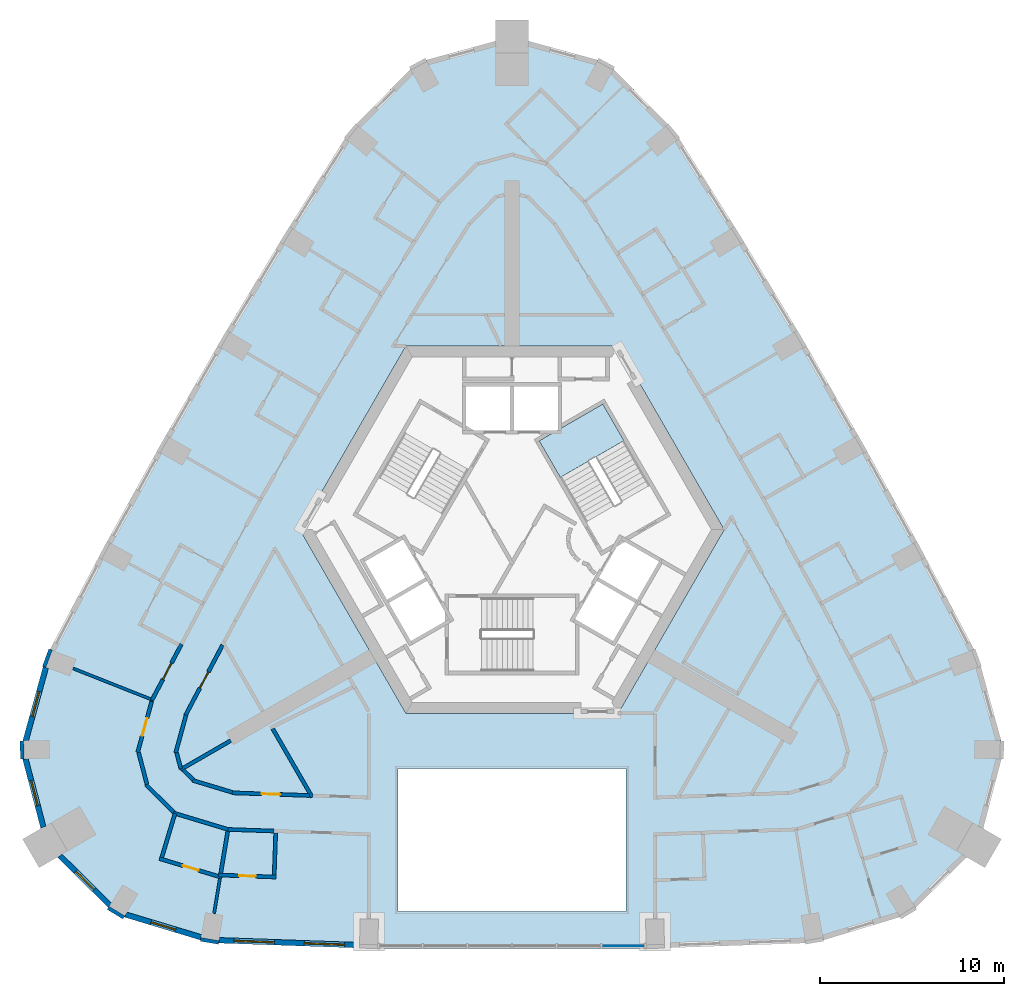
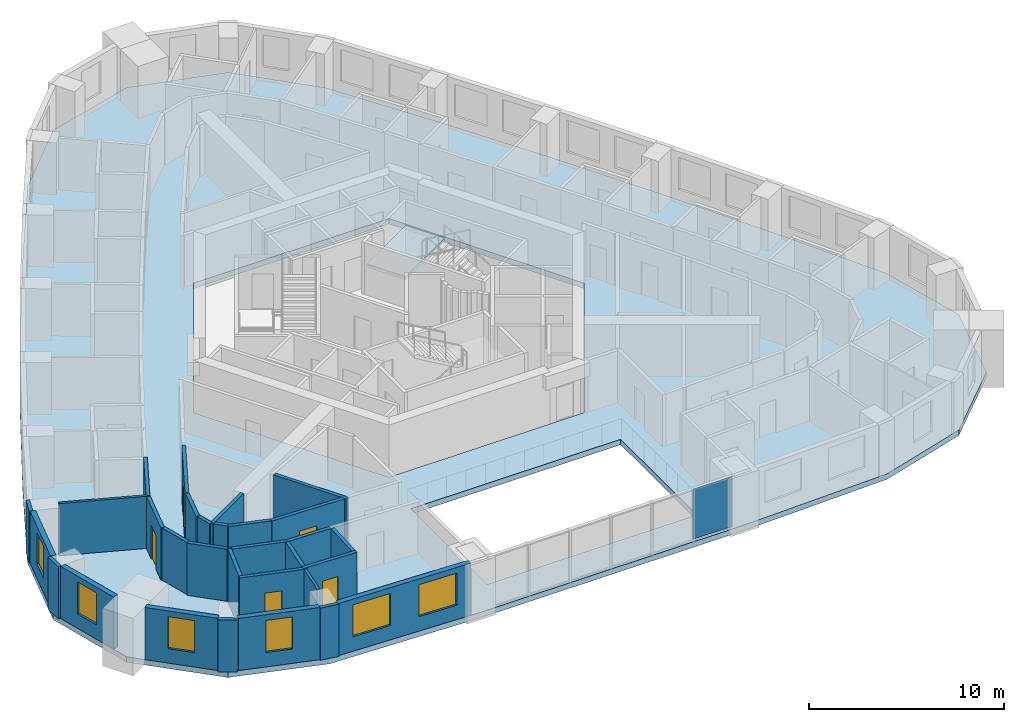
# One storey, part 3 of 12: 30 walls, 6 doors, 6 windows, 2 slabs, 1 plate, 12 openings, 2 elements without a shape of their own.
"""IFC4 building model written with IfcOpenShell, lengths in metres."""

from ifc_helpers import new_model, si_unit, direction, frame, frame_2d, origin, origin_2d, place, context, subcontext, project, spatial, polyline, rectangle, outline, extrude, material, layer, layer_set, type_object, element, fill, aggregate, save


model = new_model("IFC4")

# Units and contexts
model_context = context("Model", 3, precision=1e-05, world=origin(), true_north=direction((0.0, 1.0)))
body_context = subcontext(model_context, "Body", "Model", "MODEL_VIEW")
ifc_project = project(units=[si_unit("LENGTHUNIT", "METRE"), si_unit("AREAUNIT", "SQUARE_METRE"), si_unit("VOLUMEUNIT", "CUBIC_METRE"), si_unit("PLANEANGLEUNIT", "RADIAN"), si_unit("MASSUNIT", "GRAM", prefix="KILO")], contexts=[model_context])

# Site, building, storey
site_placement = place(None, origin())
site = spatial("IfcSite", under=ifc_project, at=site_placement, CompositionType="ELEMENT")
building_placement = place(site_placement, origin())
building = spatial("IfcBuilding", under=site, at=building_placement, Name="Entoto Arch Interchange Tower", CompositionType="ELEMENT")
storey_placement = place(building_placement, frame((0.0, 0.0, 255.800048828125)))
storey = spatial("IfcBuildingStorey", under=building, at=storey_placement, Name="L58", CompositionType="ELEMENT", Elevation=255.800048828125)

# Stair, slab
ifc_material_1 = material(Name="Concrete C40/50", Category="concrete")
stair_type = type_object("IfcStairType", Name="EXIT STAIR RC 1800", PredefinedType="HALF_TURN_STAIR", material=ifc_material_1)
stair_placement = place(storey_placement, origin())
stair = element("IfcStair", 1, at=stair_placement, inside=storey, type_object=stair_type, Name="L58 Exit stair NE", PredefinedType="HALF_TURN_STAIR")
ifc_layer_1 = layer(ifc_material_1, 0.199951171875)
ifc_layer_set_1 = layer_set([ifc_layer_1], Name="Concrete C40/50")
slab_type_1 = type_object("IfcSlabType", Name="EXIT STAIR LANDING RC 200", PredefinedType="LANDING", material=ifc_layer_set_1)
slab_1_placement = place(storey_placement, frame((0.0, 0.0, 1.599853515625)))
slab_1 = element("IfcSlab", 2, at=slab_1_placement, type_object=slab_type_1, Name="ST-NE landing 1", PredefinedType="LANDING", context=body_context, shape_type="SweptSolid", body=[
    extrude(outline(polyline([(6.093505859375, 7.345947265625), (4.943359375, 9.337890625), (1.479248046875, 7.337890625), (2.62939453125, 5.345947265625), (6.093505859375, 7.345947265625)])), origin(), (0.0, 0.0, 1.0), 0.2001953125),
])
aggregate(stair, [slab_1])

# Curtain wall, plate
ifc_material_2 = material(Name="Aluminium, anodised", Category="aluminium")
curtain_wall_type = type_object("IfcCurtainWallType", Name="CURTAIN WALL ATRIUM", PredefinedType="NOTDEFINED", material=ifc_material_2)
curtain_wall_placement = place(storey_placement, origin())
curtain_wall = element("IfcCurtainWall", 3, at=curtain_wall_placement, inside=storey, type_object=curtain_wall_type, Name="Atrium glazing S-02 L58", PredefinedType="NOTDEFINED")
ifc_material_3 = material(Name="Clear glass, low-e double glazed", Category="glass")
ifc_layer_2 = layer(ifc_material_3, 0.031982421875)
ifc_layer_set_2 = layer_set([ifc_layer_2], Name="Clear glass, low-e double glazed")
plate_type = type_object("IfcPlateType", Name="GLAZING PANEL ATRIUM 32", PredefinedType="CURTAIN_PANEL", material=ifc_layer_set_2)
plate_placement = place(storey_placement, frame((6.0576171875, -20.1640625, 0.079833984375), z_axis=(0.0, 0.0, 1.0), x_axis=(1.0, 0.0, 0.0)))
plate = element("IfcPlate", 4, at=plate_placement, type_object=plate_type, Name="CWA panel 6.1", PredefinedType="CURTAIN_PANEL", context=body_context, shape_type="SweptSolid", body=[
    extrude(rectangle(XDim=2.282958984375, YDim=0.031982421875, at=origin_2d()), origin(), (0.0, 0.0, 1.0), 3.10009765625),
])
aggregate(curtain_wall, [plate])

# Slab
ifc_layer_3 = layer(ifc_material_1, 0.340087890625)
ifc_layer_set_3 = layer_set([ifc_layer_3], Name="Concrete C40/50")
slab_type_2 = type_object("IfcSlabType", Name="Post-tensioned flat plate 340 C40/50", PredefinedType="FLOOR", material=ifc_layer_set_3)
slab_2_placement = place(storey_placement, frame((0.0, 0.0, -0.340087890625)))
element("IfcSlab", 5, at=slab_2_placement, inside=storey, type_object=slab_type_2, Name="Floor slab L58", PredefinedType="FLOOR", context=body_context, shape_type="SweptSolid", body=[
    extrude(outline(polyline([(-16.47998046875, -19.986083984375), (-7.800048828125, -20.2890625), (7.800048828125, -20.2890625), (16.47998046875, -19.986083984375), (21.60888671875, -18.43798828125), (25.4150390625, -14.674072265625), (26.77197265625, -9.493896484375), (25.388916015625, -4.462890625), (22.280029296875, 1.427978515625), (19.087890625, 7.2080078125), (15.785888671875, 12.926025390625), (12.3759765625, 18.58203125), (8.8291015625, 24.219970703125), (5.1640625, 27.93310546875), (0.0, 29.346923828125), (-5.1640625, 27.93310546875), (-8.8291015625, 24.219970703125), (-12.3759765625, 18.58203125), (-15.785888671875, 12.926025390625), (-19.087890625, 7.2080078125), (-22.280029296875, 1.427978515625), (-25.388916015625, -4.462890625), (-26.77197265625, -9.493896484375), (-25.4150390625, -14.674072265625), (-21.60888671875, -18.43798828125), (-16.47998046875, -19.986083984375)]), holes=[polyline([(6.199951171875, -18.2890625), (6.199951171875, -10.5), (-6.199951171875, -10.5), (-6.199951171875, -18.2890625), (6.199951171875, -18.2890625)]), polyline([(11.547119140625, 2.5), (5.77392578125, 12.5), (-5.77392578125, 12.5), (-11.547119140625, 2.5), (-5.77392578125, -7.5), (5.77392578125, -7.5), (11.547119140625, 2.5)])]), origin(), (0.0, 0.0, 1.0), 0.340087890625),
])

# Walls
ifc_material_4 = material(Name="Gypsum board partition on steel studs", Category="steel")
ifc_layer_4 = layer(ifc_material_4, 0.14990234375)
ifc_layer_set_4 = layer_set([ifc_layer_4], Name="Gypsum board partition on steel studs")
wall_type_1 = type_object("IfcWallType", Name="PARTITION 150", PredefinedType="PARTITIONING", material=ifc_layer_set_4)
wall_1_placement = place(storey_placement, frame((-19.4970703125, -6.794921875, 0.0), z_axis=(0.0, 0.0, 1.0), x_axis=(-0.929826906887, 0.367997178289, 0.0)))
element("IfcWall", 6, at=wall_1_placement, inside=storey, type_object=wall_type_1, Name="wall:L58:p174", PredefinedType="PARTITIONING", context=body_context, shape_type="SweptSolid", body=[
    extrude(rectangle(XDim=4.717041015625, YDim=0.14990234375, at=frame_2d((2.3583984375, 0.0))), origin(), (0.0, 0.0, 1.0), 3.260009765625),
])
wall_2_placement = place(storey_placement, frame((-15.903076171875, -16.501953125, 0.0), z_axis=(0.0, 0.0, 1.0), x_axis=(-0.163715562906, -0.986507584594, 0.0)))
element("IfcWall", 7, at=wall_2_placement, inside=storey, type_object=wall_type_1, Name="wall:L58:p177", PredefinedType="PARTITIONING", context=body_context, shape_type="SweptSolid", body=[
    extrude(rectangle(XDim=1.911865234375, YDim=0.14990234375, at=frame_2d((0.9560546875, 0.0))), origin(), (0.0, 0.0, 1.0), 3.260009765625),
])

# Wall, opening, door
ifc_layer_5 = layer(ifc_material_4, 0.199951171875)
ifc_layer_set_5 = layer_set([ifc_layer_5], Name="Gypsum board partition on steel studs")
wall_type_2 = type_object("IfcWallType", Name="PARTITION 200", PredefinedType="PARTITIONING", material=ifc_layer_set_5)
wall_3_placement = place(storey_placement, frame((-15.756103515625, -3.779052734375, 0.0), z_axis=(0.0, 0.0, 1.0), x_axis=(-0.46672043873, -0.884404902786, 0.0)))
wall_3 = element("IfcWall", 8, at=wall_3_placement, inside=storey, type_object=wall_type_2, Name="wall:L58:p030", PredefinedType="PARTITIONING", context=body_context, shape_type="SweptSolid", body=[
    extrude(rectangle(XDim=4.306640625, YDim=0.199951171875, at=frame_2d((2.1533203125, 0.0))), origin(), (0.0, 0.0, 1.0), 3.260009765625),
])
opening_1_placement = place(wall_3_placement, frame((1.653076171875, 0.0, 0.0)))
opening_1 = element("IfcOpeningElement", 9, at=opening_1_placement, cuts=wall_3, Name="Opening L58-D42", PredefinedType="OPENING", context=body_context, shape_type="SweptSolid", body=[
    extrude(rectangle(XDim=1.0, YDim=2.10009765625, at=frame_2d((0.5, 1.050048828125))), frame((0.0, 0.10986328125, 0.0), z_axis=(0.0, -1.0, 0.0), x_axis=(1.0, 0.0, 0.0)), (0.0, 0.0, 1.0), 0.219970703125),
])
ifc_material_5 = material(Name="Timber door leaf in Steel S235 frame", Category="steel")
door_type_1 = type_object("IfcDoorType", Name="DOOR DS-10 1000x2100", OperationType="SINGLE_SWING_LEFT", PredefinedType="DOOR", material=ifc_material_5)
door_1_placement = place(opening_1_placement, origin())
door_1 = element("IfcDoor", 10, at=door_1_placement, inside=storey, type_object=door_type_1, Name="door:L58:42", OperationType="SINGLE_SWING_LEFT", OverallHeight=2.10009765625, OverallWidth=1.0, PredefinedType="DOOR", context=body_context, shape_type="SweptSolid", body=[
    extrude(rectangle(XDim=1.0, YDim=2.10009765625, at=frame_2d((0.5, 1.050048828125))), frame((0.0, 0.02490234375, 0.0), z_axis=(0.0, -1.0, 0.0), x_axis=(1.0, 0.0, 0.0)), (0.0, 0.0, 1.0), 0.050048828125),
])
fill(opening_1, door_1)

# Walls
wall_4_placement = place(storey_placement, frame((-17.74609375, -7.595947265625, 0.0), z_axis=(0.0, 0.0, 1.0), x_axis=(-0.264859637197, -0.96428697626, 0.0)))
element("IfcWall", 11, at=wall_4_placement, inside=storey, type_object=wall_type_2, Name="wall:L58:p031", PredefinedType="PARTITIONING", context=body_context, shape_type="SweptSolid", body=[
    extrude(rectangle(XDim=2.121826171875, YDim=0.199951171875, at=frame_2d((1.06103515625, 0.0))), origin(), (0.0, 0.0, 1.0), 3.260009765625),
])
wall_5_placement = place(storey_placement, frame((-18.257080078125, -9.64208984375, 0.0), z_axis=(0.0, 0.0, 1.0), x_axis=(0.253407342366, -0.967359663639, 0.0)))
element("IfcWall", 12, at=wall_5_placement, inside=storey, type_object=wall_type_2, Name="wall:L58:p032", PredefinedType="PARTITIONING", context=body_context, shape_type="SweptSolid", body=[
    extrude(rectangle(XDim=0.907470703125, YDim=0.199951171875, at=frame_2d((0.45361328125, 0.0))), origin(), (0.0, 0.0, 1.0), 3.260009765625),
])
wall_6_placement = place(storey_placement, frame((-17.889892578125, -10.583984375, 0.0), z_axis=(0.0, 0.0, 1.0), x_axis=(0.711042348586, -0.70314918653, 0.0)))
element("IfcWall", 13, at=wall_6_placement, inside=storey, type_object=wall_type_2, Name="wall:L58:p033", PredefinedType="PARTITIONING", context=body_context, shape_type="SweptSolid", body=[
    extrude(rectangle(XDim=0.742431640625, YDim=0.199951171875, at=frame_2d((0.37109375, 0.0))), origin(), (0.0, 0.0, 1.0), 3.260009765625),
])
wall_7_placement = place(storey_placement, frame((-17.385986328125, -11.14697265625, 0.0), z_axis=(0.0, 0.0, 1.0), x_axis=(0.957321496956, -0.289025174451, 0.0)))
element("IfcWall", 14, at=wall_7_placement, inside=storey, type_object=wall_type_2, Name="wall:L58:p034", PredefinedType="PARTITIONING", context=body_context, shape_type="SweptSolid", body=[
    extrude(rectangle(XDim=2.256103515625, YDim=0.199951171875, at=frame_2d((1.1279296875, 0.0))), origin(), (0.0, 0.0, 1.0), 3.260009765625),
])

# Wall, opening, door
wall_8_placement = place(storey_placement, frame((-15.22998046875, -11.824951171875, 0.0), z_axis=(0.0, 0.0, 1.0), x_axis=(0.999397560436, -0.0347061406, 0.0)))
wall_8 = element("IfcWall", 15, at=wall_8_placement, inside=storey, type_object=wall_type_2, Name="wall:L58:p035", PredefinedType="PARTITIONING", context=body_context, shape_type="SweptSolid", body=[
    extrude(rectangle(XDim=4.20654296875, YDim=0.199951171875, at=frame_2d((2.103271484375, 0.0))), origin(), (0.0, 0.0, 1.0), 3.260009765625),
])
opening_2_placement = place(wall_8_placement, frame((1.60302734375, 0.0, 0.0)))
opening_2 = element("IfcOpeningElement", 16, at=opening_2_placement, cuts=wall_8, Name="Opening L58-D43", PredefinedType="OPENING", context=body_context, shape_type="SweptSolid", body=[
    extrude(rectangle(XDim=1.0, YDim=2.10009765625, at=frame_2d((0.5, 1.050048828125))), frame((0.0, 0.10986328125, 0.0), z_axis=(0.0, -1.0, 0.0), x_axis=(1.0, 0.0, 0.0)), (0.0, 0.0, 1.0), 0.219970703125),
])
door_2_placement = place(opening_2_placement, origin())
door_2 = element("IfcDoor", 17, at=door_2_placement, inside=storey, type_object=door_type_1, Name="door:L58:43", OperationType="SINGLE_SWING_LEFT", OverallHeight=2.10009765625, OverallWidth=1.0, PredefinedType="DOOR", context=body_context, shape_type="SweptSolid", body=[
    extrude(rectangle(XDim=1.0, YDim=2.10009765625, at=frame_2d((0.5, 1.050048828125))), frame((0.0, 0.02490234375, 0.0), z_axis=(0.0, -1.0, 0.0), x_axis=(1.0, 0.0, 0.0)), (0.0, 0.0, 1.0), 0.050048828125),
])
fill(opening_2, door_2)

wall_9_placement = place(storey_placement, frame((-19.60205078125, -6.781005859375, 0.0), z_axis=(0.0, 0.0, 1.0), x_axis=(0.466827780692, 0.884348247679, 0.0)))
wall_9 = element("IfcWall", 18, at=wall_9_placement, inside=storey, type_object=wall_type_2, Name="wall:L58:p064", PredefinedType="PARTITIONING", context=body_context, shape_type="SweptSolid", body=[
    extrude(rectangle(XDim=3.451171875, YDim=0.199951171875, at=frame_2d((1.7255859375, 0.0))), origin(), (0.0, 0.0, 1.0), 3.260009765625),
])
opening_3_placement = place(wall_9_placement, frame((1.27490234375, 0.0, 0.0)))
opening_3 = element("IfcOpeningElement", 19, at=opening_3_placement, cuts=wall_9, Name="Opening L58-D27", PredefinedType="OPENING", context=body_context, shape_type="SweptSolid", body=[
    extrude(rectangle(XDim=1.0, YDim=2.10009765625, at=frame_2d((0.5, 1.050048828125))), frame((0.0, 0.10986328125, 0.0), z_axis=(0.0, -1.0, 0.0), x_axis=(1.0, 0.0, 0.0)), (0.0, 0.0, 1.0), 0.219970703125),
])
ifc_material_6 = material(Name="Fire-rated Steel S235 door and frame", Category="steel")
door_type_2 = type_object("IfcDoorType", Name="DOOR FD-10 1000x2100", OperationType="SINGLE_SWING_LEFT", PredefinedType="DOOR", material=ifc_material_6)
door_3_placement = place(opening_3_placement, origin())
door_3 = element("IfcDoor", 20, at=door_3_placement, inside=storey, type_object=door_type_2, Name="door:L58:27", OperationType="SINGLE_SWING_LEFT", OverallHeight=2.10009765625, OverallWidth=1.0, PredefinedType="DOOR", context=body_context, shape_type="SweptSolid", body=[
    extrude(rectangle(XDim=1.0, YDim=2.10009765625, at=frame_2d((0.5, 1.050048828125))), frame((0.0, 0.02490234375, 0.0), z_axis=(0.0, -1.0, 0.0), x_axis=(1.0, 0.0, 0.0)), (0.0, 0.0, 1.0), 0.050048828125),
])
fill(opening_3, door_3)

# Walls
wall_10_placement = place(storey_placement, frame((-18.4150390625, -12.876953125, 0.0), z_axis=(0.0, 0.0, 1.0), x_axis=(-0.711078065077, 0.70311306727, 0.0)))
element("IfcWall", 21, at=wall_10_placement, inside=storey, type_object=wall_type_2, Name="wall:L58:p066", PredefinedType="PARTITIONING", context=body_context, shape_type="SweptSolid", body=[
    extrude(rectangle(XDim=2.114990234375, YDim=0.199951171875, at=frame_2d((1.0576171875, 0.0))), origin(), (0.0, 0.0, 1.0), 3.260009765625),
])
wall_11_placement = place(storey_placement, frame((-19.873046875, -11.363037109375, 0.0), z_axis=(0.0, 0.0, 1.0), x_axis=(-0.253192482031, 0.967415922467, 0.0)))
element("IfcWall", 22, at=wall_11_placement, inside=storey, type_object=wall_type_2, Name="wall:L58:p067", PredefinedType="PARTITIONING", context=body_context, shape_type="SweptSolid", body=[
    extrude(rectangle(XDim=1.79248046875, YDim=0.199951171875, at=frame_2d((0.896240234375, 0.0))), origin(), (0.0, 0.0, 1.0), 3.260009765625),
])

# Wall, opening, door
wall_12_placement = place(storey_placement, frame((-20.37890625, -9.62890625, 0.0), z_axis=(0.0, 0.0, 1.0), x_axis=(0.26487636938, 0.964282380293, 0.0)))
wall_12 = element("IfcWall", 23, at=wall_12_placement, inside=storey, type_object=wall_type_2, Name="wall:L58:p068", PredefinedType="PARTITIONING", context=body_context, shape_type="SweptSolid", body=[
    extrude(rectangle(XDim=2.876708984375, YDim=0.199951171875, at=frame_2d((1.4384765625, 0.0))), origin(), (0.0, 0.0, 1.0), 3.260009765625),
])
opening_4_placement = place(wall_12_placement, frame((0.93798828125, 0.0, 0.0)))
opening_4 = element("IfcOpeningElement", 24, at=opening_4_placement, cuts=wall_12, Name="Opening L58-D29", PredefinedType="OPENING", context=body_context, shape_type="SweptSolid", body=[
    extrude(rectangle(XDim=1.0, YDim=2.10009765625, at=frame_2d((0.5, 1.050048828125))), frame((0.0, 0.10986328125, 0.0), z_axis=(0.0, -1.0, 0.0), x_axis=(1.0, 0.0, 0.0)), (0.0, 0.0, 1.0), 0.219970703125),
])
door_4_placement = place(opening_4_placement, origin())
door_4 = element("IfcDoor", 25, at=door_4_placement, inside=storey, type_object=door_type_2, Name="door:L58:29", OperationType="SINGLE_SWING_LEFT", OverallHeight=2.10009765625, OverallWidth=1.0, PredefinedType="DOOR", context=body_context, shape_type="SweptSolid", body=[
    extrude(rectangle(XDim=1.0, YDim=2.10009765625, at=frame_2d((0.5, 1.050048828125))), frame((0.0, 0.02490234375, 0.0), z_axis=(0.0, -1.0, 0.0), x_axis=(1.0, 0.0, 0.0)), (0.0, 0.0, 1.0), 0.050048828125),
])
fill(opening_4, door_4)

# Walls
wall_13_placement = place(storey_placement, frame((-15.363037109375, -13.846923828125, 0.0), z_axis=(0.0, 0.0, 1.0), x_axis=(-0.957320969561, 0.289026921303, 0.0)))
element("IfcWall", 26, at=wall_13_placement, inside=storey, type_object=wall_type_2, Name="wall:L58:p069", PredefinedType="PARTITIONING", context=body_context, shape_type="SweptSolid", body=[
    extrude(rectangle(XDim=3.214111328125, YDim=0.199951171875, at=frame_2d((1.60693359375, 0.0))), origin(), (0.0, 0.0, 1.0), 3.260009765625),
])
wall_14_placement = place(storey_placement, frame((-12.9609375, -13.905029296875, 0.0), z_axis=(0.0, 0.0, 1.0), x_axis=(-0.999395279268, 0.034771766949, 0.0)))
element("IfcWall", 27, at=wall_14_placement, inside=storey, type_object=wall_type_2, Name="wall:L58:p071", PredefinedType="PARTITIONING", context=body_context, shape_type="SweptSolid", body=[
    extrude(rectangle(XDim=2.49951171875, YDim=0.199951171875, at=frame_2d((1.249755859375, 0.0))), origin(), (0.0, 0.0, 1.0), 3.260009765625),
])
wall_15_placement = place(storey_placement, frame((-10.8759765625, -12.06201171875, 0.0), z_axis=(0.0, 0.0, 1.0), x_axis=(-0.499977877545, 0.866038175813, 0.0)))
element("IfcWall", 28, at=wall_15_placement, inside=storey, type_object=wall_type_2, Name="wall:L58:p120", PredefinedType="PARTITIONING", context=body_context, shape_type="SweptSolid", body=[
    extrude(rectangle(XDim=4.302490234375, YDim=0.199951171875, at=frame_2d((2.1513671875, 0.0))), origin(), (0.0, 0.0, 1.0), 3.260009765625),
])
wall_16_placement = place(storey_placement, frame((-15.31005859375, -8.98291015625, 0.0), z_axis=(0.0, 0.0, 1.0), x_axis=(-0.866047943894, -0.499960957353, 0.0)))
element("IfcWall", 29, at=wall_16_placement, inside=storey, type_object=wall_type_2, Name="wall:L58:p121", PredefinedType="PARTITIONING", context=body_context, shape_type="SweptSolid", body=[
    extrude(rectangle(XDim=3.160400390625, YDim=0.199951171875, at=frame_2d((1.580078125, 0.0))), origin(), (0.0, 0.0, 1.0), 3.260009765625),
])
wall_17_placement = place(storey_placement, frame((-18.343994140625, -12.947021484375, 0.0), z_axis=(0.0, 0.0, 1.0), x_axis=(-0.288709122303, -0.957416859419, 0.0)))
element("IfcWall", 30, at=wall_17_placement, inside=storey, type_object=wall_type_2, Name="wall:L58:p175", PredefinedType="PARTITIONING", context=body_context, shape_type="SweptSolid", body=[
    extrude(rectangle(XDim=2.50048828125, YDim=0.199951171875, at=frame_2d((1.250244140625, 0.0))), origin(), (0.0, 0.0, 1.0), 3.260009765625),
])

# Wall, opening, door
wall_18_placement = place(storey_placement, frame((-19.19091796875, -15.406982421875, 0.0), z_axis=(0.0, 0.0, 1.0), x_axis=(0.957443200759, -0.28862175476, 0.0)))
wall_18 = element("IfcWall", 31, at=wall_18_placement, inside=storey, type_object=wall_type_2, Name="wall:L58:p176", PredefinedType="PARTITIONING", context=body_context, shape_type="SweptSolid", body=[
    extrude(rectangle(XDim=3.551025390625, YDim=0.199951171875, at=frame_2d((1.775390625, 0.0))), origin(), (0.0, 0.0, 1.0), 3.260009765625),
])
opening_5_placement = place(wall_18_placement, frame((1.324951171875, 0.0, 0.0)))
opening_5 = element("IfcOpeningElement", 32, at=opening_5_placement, cuts=wall_18, Name="Opening L58-D30", PredefinedType="OPENING", context=body_context, shape_type="SweptSolid", body=[
    extrude(rectangle(XDim=0.89990234375, YDim=2.10009765625, at=frame_2d((0.449951171875, 1.050048828125))), frame((0.0, 0.10986328125, 0.0), z_axis=(0.0, -1.0, 0.0), x_axis=(1.0, 0.0, 0.0)), (0.0, 0.0, 1.0), 0.219970703125),
])
door_type_3 = type_object("IfcDoorType", Name="DOOR DS-09 900x2100", OperationType="SINGLE_SWING_LEFT", PredefinedType="DOOR", material=ifc_material_5)
door_5_placement = place(opening_5_placement, origin())
door_5 = element("IfcDoor", 33, at=door_5_placement, inside=storey, type_object=door_type_3, Name="door:L58:30", OperationType="SINGLE_SWING_LEFT", OverallHeight=2.10009765625, OverallWidth=0.89990234375, PredefinedType="DOOR", context=body_context, shape_type="SweptSolid", body=[
    extrude(rectangle(XDim=0.89990234375, YDim=2.10009765625, at=frame_2d((0.449951171875, 1.050048828125))), frame((0.0, 0.02490234375, 0.0), z_axis=(0.0, -1.0, 0.0), x_axis=(1.0, 0.0, 0.0)), (0.0, 0.0, 1.0), 0.050048828125),
])
fill(opening_5, door_5)

# Wall
wall_19_placement = place(storey_placement, frame((-15.47607421875, -13.9169921875, 0.0), z_axis=(0.0, 0.0, 1.0), x_axis=(-0.162964805234, -0.986631882849, 0.0)))
element("IfcWall", 34, at=wall_19_placement, inside=storey, type_object=wall_type_2, Name="wall:L58:p178", PredefinedType="PARTITIONING", context=body_context, shape_type="SweptSolid", body=[
    extrude(rectangle(XDim=2.319091796875, YDim=0.199951171875, at=frame_2d((1.15966796875, 0.0))), origin(), (0.0, 0.0, 1.0), 3.260009765625),
])

# Wall, opening, door
wall_20_placement = place(storey_placement, frame((-15.970947265625, -16.300048828125, 0.0), z_axis=(0.0, 0.0, 1.0), x_axis=(0.999370791233, -0.035468600627, 0.0)))
wall_20 = element("IfcWall", 35, at=wall_20_placement, inside=storey, type_object=wall_type_2, Name="wall:L58:p179", PredefinedType="PARTITIONING", context=body_context, shape_type="SweptSolid", body=[
    extrude(rectangle(XDim=3.125, YDim=0.199951171875, at=frame_2d((1.5625, 0.0))), origin(), (0.0, 0.0, 1.0), 3.260009765625),
])
opening_6_placement = place(wall_20_placement, frame((1.112060546875, 0.0, 0.0)))
opening_6 = element("IfcOpeningElement", 36, at=opening_6_placement, cuts=wall_20, Name="Opening L58-D32", PredefinedType="OPENING", context=body_context, shape_type="SweptSolid", body=[
    extrude(rectangle(XDim=0.89990234375, YDim=2.10009765625, at=frame_2d((0.449951171875, 1.050048828125))), frame((0.0, 0.10986328125, 0.0), z_axis=(0.0, -1.0, 0.0), x_axis=(1.0, 0.0, 0.0)), (0.0, 0.0, 1.0), 0.219970703125),
])
door_6_placement = place(opening_6_placement, origin())
door_6 = element("IfcDoor", 37, at=door_6_placement, inside=storey, type_object=door_type_3, Name="door:L58:32", OperationType="SINGLE_SWING_LEFT", OverallHeight=2.10009765625, OverallWidth=0.89990234375, PredefinedType="DOOR", context=body_context, shape_type="SweptSolid", body=[
    extrude(rectangle(XDim=0.89990234375, YDim=2.10009765625, at=frame_2d((0.449951171875, 1.050048828125))), frame((0.0, 0.02490234375, 0.0), z_axis=(0.0, -1.0, 0.0), x_axis=(1.0, 0.0, 0.0)), (0.0, 0.0, 1.0), 0.050048828125),
])
fill(opening_6, door_6)

# Wall
wall_21_placement = place(storey_placement, frame((-12.945068359375, -16.306884765625, 0.0), z_axis=(0.0, 0.0, 1.0), x_axis=(0.035252193458, 0.999378448265, 0.0)))
element("IfcWall", 38, at=wall_21_placement, inside=storey, type_object=wall_type_2, Name="wall:L58:p180", PredefinedType="PARTITIONING", context=body_context, shape_type="SweptSolid", body=[
    extrude(rectangle(XDim=2.29931640625, YDim=0.199951171875, at=frame_2d((1.149658203125, 0.0))), origin(), (0.0, 0.0, 1.0), 3.260009765625),
])

# Wall, openings, windows
ifc_material_7 = material(Name="Welded tuff (ignimbrite) cladding, warm buff", Category="masonry")
ifc_layer_6 = layer(ifc_material_7, 0.300048828125)
ifc_layer_set_6 = layer_set([ifc_layer_6], Name="Welded tuff (ignimbrite) cladding, warm buff")
wall_type_3 = type_object("IfcWallType", Name="STONE INFILL WALL 300", PredefinedType="STANDARD", material=ifc_layer_set_6)
wall_22_placement = place(storey_placement, frame((-15.951904296875, -19.85400390625, 0.0), z_axis=(0.0, 0.0, 1.0), x_axis=(0.999387577449, -0.034992428331, 0.0)))
wall_22 = element("IfcWall", 39, at=wall_22_placement, inside=storey, type_object=wall_type_3, Name="Facade wall S-01 L58", PredefinedType="STANDARD", context=body_context, shape_type="SweptSolid", body=[
    extrude(rectangle(XDim=7.66064453125, YDim=0.300048828125, at=frame_2d((3.830322265625, 0.0))), origin(), (0.0, 0.0, 1.0), 3.260009765625),
])
opening_7_placement = place(wall_22_placement, frame((0.81494140625, 0.0, 0.89990234375)))
opening_7 = element("IfcOpeningElement", 40, at=opening_7_placement, cuts=wall_22, Name="Opening WH-A", PredefinedType="OPENING", context=body_context, shape_type="SweptSolid", body=[
    extrude(rectangle(XDim=2.199951171875, YDim=2.0, at=frame_2d((1.10009765625, 1.0))), frame((0.0, 0.16015625, 0.0), z_axis=(0.0, -1.0, 0.0), x_axis=(1.0, 0.0, 0.0)), (0.0, 0.0, 1.0), 0.320068359375),
])
opening_8_placement = place(wall_22_placement, frame((4.64599609375, 0.0, 0.89990234375)))
opening_8 = element("IfcOpeningElement", 41, at=opening_8_placement, cuts=wall_22, Name="Opening WH-A", PredefinedType="OPENING", context=body_context, shape_type="SweptSolid", body=[
    extrude(rectangle(XDim=2.199951171875, YDim=2.0, at=frame_2d((1.10009765625, 1.0))), frame((0.0, 0.16015625, 0.0), z_axis=(0.0, -1.0, 0.0), x_axis=(1.0, 0.0, 0.0)), (0.0, 0.0, 1.0), 0.320068359375),
])
window_type_1 = type_object("IfcWindowType", Name="WINDOW WH-A 2200x2000", PartitioningType="DOUBLE_PANEL_VERTICAL", PredefinedType="WINDOW", material=ifc_material_3)
window_1_placement = place(opening_7_placement, origin())
window_1 = element("IfcWindow", 42, at=window_1_placement, inside=storey, type_object=window_type_1, Name="Window WH-A S-01 L58", OverallHeight=2.0, OverallWidth=2.199951171875, PartitioningType="SINGLE_PANEL", PredefinedType="WINDOW", context=body_context, shape_type="SweptSolid", body=[
    extrude(rectangle(XDim=2.199951171875, YDim=2.0, at=frame_2d((1.10009765625, 1.0))), frame((0.0, 0.030029296875, 0.0), z_axis=(0.0, -1.0, 0.0), x_axis=(1.0, 0.0, 0.0)), (0.0, 0.0, 1.0), 0.06005859375),
])
fill(opening_7, window_1)
window_2_placement = place(opening_8_placement, origin())
window_2 = element("IfcWindow", 43, at=window_2_placement, inside=storey, type_object=window_type_1, Name="Window WH-A S-01 L58", OverallHeight=2.0, OverallWidth=2.199951171875, PartitioningType="SINGLE_PANEL", PredefinedType="WINDOW", context=body_context, shape_type="SweptSolid", body=[
    extrude(rectangle(XDim=2.199951171875, YDim=2.0, at=frame_2d((1.10009765625, 1.0))), frame((0.0, 0.030029296875, 0.0), z_axis=(0.0, -1.0, 0.0), x_axis=(1.0, 0.0, 0.0)), (0.0, 0.0, 1.0), 0.06005859375),
])
fill(opening_8, window_2)

# Wall, opening, window
wall_23_placement = place(storey_placement, frame((-25.381103515625, -4.998046875, 0.0), z_axis=(0.0, 0.0, 1.0), x_axis=(-0.264924661919, -0.964269113633, 0.0)))
wall_23 = element("IfcWall", 44, at=wall_23_placement, inside=storey, type_object=wall_type_3, Name="Facade wall SW-01 L58", PredefinedType="STANDARD", context=body_context, shape_type="SweptSolid", body=[
    extrude(rectangle(XDim=4.13671875, YDim=0.300048828125, at=frame_2d((2.068359375, 0.0))), origin(), (0.0, 0.0, 1.0), 3.260009765625),
])
opening_9_placement = place(wall_23_placement, frame((1.367919921875, 0.0, 0.89990234375)))
opening_9 = element("IfcOpeningElement", 45, at=opening_9_placement, cuts=wall_23, Name="Opening WH-B", PredefinedType="OPENING", context=body_context, shape_type="SweptSolid", body=[
    extrude(rectangle(XDim=1.39990234375, YDim=2.0, at=frame_2d((0.699951171875, 1.0))), frame((0.0, 0.16015625, 0.0), z_axis=(0.0, -1.0, 0.0), x_axis=(1.0, 0.0, 0.0)), (0.0, 0.0, 1.0), 0.320068359375),
])
window_type_2 = type_object("IfcWindowType", Name="WINDOW WH-B 1400x2000", PartitioningType="DOUBLE_PANEL_VERTICAL", PredefinedType="WINDOW", material=ifc_material_3)
window_3_placement = place(opening_9_placement, origin())
window_3 = element("IfcWindow", 46, at=window_3_placement, inside=storey, type_object=window_type_2, Name="Window WH-B SW-01 L58", OverallHeight=2.0, OverallWidth=1.39990234375, PartitioningType="SINGLE_PANEL", PredefinedType="WINDOW", context=body_context, shape_type="SweptSolid", body=[
    extrude(rectangle(XDim=1.39990234375, YDim=2.0, at=frame_2d((0.699951171875, 1.0))), frame((0.0, 0.030029296875, 0.0), z_axis=(0.0, -1.0, 0.0), x_axis=(1.0, 0.0, 0.0)), (0.0, 0.0, 1.0), 0.06005859375),
])
fill(opening_9, window_3)

wall_24_placement = place(storey_placement, frame((-26.488037109375, -9.986083984375, 0.0), z_axis=(0.0, 0.0, 1.0), x_axis=(0.253248721632, -0.967401201669, 0.0)))
wall_24 = element("IfcWall", 47, at=wall_24_placement, inside=storey, type_object=wall_type_3, Name="Facade wall SW-02 L58", PredefinedType="STANDARD", context=body_context, shape_type="SweptSolid", body=[
    extrude(rectangle(XDim=3.833984375, YDim=0.300048828125, at=frame_2d((1.9169921875, 0.0))), origin(), (0.0, 0.0, 1.0), 3.260009765625),
])
opening_10_placement = place(wall_24_placement, frame((1.217041015625, 0.0, 0.89990234375)))
opening_10 = element("IfcOpeningElement", 48, at=opening_10_placement, cuts=wall_24, Name="Opening WH-B", PredefinedType="OPENING", context=body_context, shape_type="SweptSolid", body=[
    extrude(rectangle(XDim=1.39990234375, YDim=2.0, at=frame_2d((0.699951171875, 1.0))), frame((0.0, 0.16015625, 0.0), z_axis=(0.0, -1.0, 0.0), x_axis=(1.0, 0.0, 0.0)), (0.0, 0.0, 1.0), 0.320068359375),
])
window_4_placement = place(opening_10_placement, origin())
window_4 = element("IfcWindow", 49, at=window_4_placement, inside=storey, type_object=window_type_2, Name="Window WH-B SW-02 L58", OverallHeight=2.0, OverallWidth=1.39990234375, PartitioningType="SINGLE_PANEL", PredefinedType="WINDOW", context=body_context, shape_type="SweptSolid", body=[
    extrude(rectangle(XDim=1.39990234375, YDim=2.0, at=frame_2d((0.699951171875, 1.0))), frame((0.0, 0.030029296875, 0.0), z_axis=(0.0, -1.0, 0.0), x_axis=(1.0, 0.0, 0.0)), (0.0, 0.0, 1.0), 0.06005859375),
])
fill(opening_10, window_4)

wall_25_placement = place(storey_placement, frame((-24.617919921875, -15.251953125, 0.0), z_axis=(0.0, 0.0, 1.0), x_axis=(0.71110935557, -0.703081420904, 0.0)))
wall_25 = element("IfcWall", 50, at=wall_25_placement, inside=storey, type_object=wall_type_3, Name="Facade wall SW-03 L58", PredefinedType="STANDARD", context=body_context, shape_type="SweptSolid", body=[
    extrude(rectangle(XDim=3.831787109375, YDim=0.300048828125, at=frame_2d((1.916015625, 0.0))), origin(), (0.0, 0.0, 1.0), 3.260009765625),
])
opening_11_placement = place(wall_25_placement, frame((1.216064453125, 0.0, 0.89990234375)))
opening_11 = element("IfcOpeningElement", 51, at=opening_11_placement, cuts=wall_25, Name="Opening WH-B", PredefinedType="OPENING", context=body_context, shape_type="SweptSolid", body=[
    extrude(rectangle(XDim=1.39990234375, YDim=2.0, at=frame_2d((0.699951171875, 1.0))), frame((0.0, 0.16015625, 0.0), z_axis=(0.0, -1.0, 0.0), x_axis=(1.0, 0.0, 0.0)), (0.0, 0.0, 1.0), 0.320068359375),
])
window_5_placement = place(opening_11_placement, origin())
window_5 = element("IfcWindow", 52, at=window_5_placement, inside=storey, type_object=window_type_2, Name="Window WH-B SW-03 L58", OverallHeight=2.0, OverallWidth=1.39990234375, PartitioningType="SINGLE_PANEL", PredefinedType="WINDOW", context=body_context, shape_type="SweptSolid", body=[
    extrude(rectangle(XDim=1.39990234375, YDim=2.0, at=frame_2d((0.699951171875, 1.0))), frame((0.0, 0.030029296875, 0.0), z_axis=(0.0, -1.0, 0.0), x_axis=(1.0, 0.0, 0.0)), (0.0, 0.0, 1.0), 0.06005859375),
])
fill(opening_11, window_5)

wall_26_placement = place(storey_placement, frame((-21.033935546875, -18.455078125, 0.0), z_axis=(0.0, 0.0, 1.0), x_axis=(0.957346168713, -0.288943442997, 0.0)))
wall_26 = element("IfcWall", 53, at=wall_26_placement, inside=storey, type_object=wall_type_3, Name="Facade wall SW-04 L58", PredefinedType="STANDARD", context=body_context, shape_type="SweptSolid", body=[
    extrude(rectangle(XDim=4.280517578125, YDim=0.300048828125, at=frame_2d((2.14013671875, 0.0))), origin(), (0.0, 0.0, 1.0), 3.260009765625),
])
opening_12_placement = place(wall_26_placement, frame((1.43994140625, 0.0, 0.89990234375)))
opening_12 = element("IfcOpeningElement", 54, at=opening_12_placement, cuts=wall_26, Name="Opening WH-B", PredefinedType="OPENING", context=body_context, shape_type="SweptSolid", body=[
    extrude(rectangle(XDim=1.39990234375, YDim=2.0, at=frame_2d((0.699951171875, 1.0))), frame((0.0, 0.16015625, 0.0), z_axis=(0.0, -1.0, 0.0), x_axis=(1.0, 0.0, 0.0)), (0.0, 0.0, 1.0), 0.320068359375),
])
window_6_placement = place(opening_12_placement, origin())
window_6 = element("IfcWindow", 55, at=window_6_placement, inside=storey, type_object=window_type_2, Name="Window WH-B SW-04 L58", OverallHeight=2.0, OverallWidth=1.39990234375, PartitioningType="SINGLE_PANEL", PredefinedType="WINDOW", context=body_context, shape_type="SweptSolid", body=[
    extrude(rectangle(XDim=1.39990234375, YDim=2.0, at=frame_2d((0.699951171875, 1.0))), frame((0.0, 0.030029296875, 0.0), z_axis=(0.0, -1.0, 0.0), x_axis=(1.0, 0.0, 0.0)), (0.0, 0.0, 1.0), 0.06005859375),
])
fill(opening_12, window_6)

# Walls
ifc_layer_7 = layer(ifc_material_7, 0.199951171875)
ifc_layer_set_7 = layer_set([ifc_layer_7], Name="Welded tuff (ignimbrite) cladding, warm buff")
wall_type_4 = type_object("IfcWallType", Name="STONE PIER CLADDING 200", PredefinedType="STANDARD", material=ifc_layer_set_7)
wall_27_placement = place(storey_placement, frame((-25.1220703125, -4.029052734375, 0.0), z_axis=(0.0, 0.0, 1.0), x_axis=(-0.346892928577, -0.937904737222, 0.0)))
element("IfcWall", 56, at=wall_27_placement, inside=storey, type_object=wall_type_4, Name="Stone pier NW06 L58", PredefinedType="STANDARD", context=body_context, shape_type="SweptSolid", body=[
    extrude(rectangle(XDim=1.0, YDim=0.199951171875, at=frame_2d((0.5, 0.0))), origin(), (0.0, 0.0, 1.0), 3.260009765625),
])
wall_28_placement = place(storey_placement, frame((-16.9560546875, -19.803955078125, 0.0), z_axis=(0.0, 0.0, 1.0), x_axis=(0.985961725342, -0.166971483074, 0.0)))
element("IfcWall", 57, at=wall_28_placement, inside=storey, type_object=wall_type_4, Name="Stone pier S01 L58", PredefinedType="STANDARD", context=body_context, shape_type="SweptSolid", body=[
    extrude(rectangle(XDim=1.000244140625, YDim=0.199951171875, at=frame_2d((0.5, 0.0))), origin(), (0.0, 0.0, 1.0), 3.260009765625),
])
wall_29_placement = place(storey_placement, frame((-26.68408203125, -8.991943359375, 0.0), z_axis=(0.0, 0.0, 1.0), x_axis=(0.024186470916, -0.999707464524, 0.0)))
element("IfcWall", 58, at=wall_29_placement, inside=storey, type_object=wall_type_4, Name="Stone pier SW1 L58", PredefinedType="STANDARD", context=body_context, shape_type="SweptSolid", body=[
    extrude(rectangle(XDim=0.999267578125, YDim=0.199951171875, at=frame_2d((0.49951171875, 0.0))), origin(), (0.0, 0.0, 1.0), 3.260009765625),
])
wall_30_placement = place(storey_placement, frame((-21.98388671875, -18.092041015625, 0.0), z_axis=(0.0, 0.0, 1.0), x_axis=(0.853679739553, -0.520798331677, 0.0)))
element("IfcWall", 59, at=wall_30_placement, inside=storey, type_object=wall_type_4, Name="Stone pier SW3 L58", PredefinedType="STANDARD", context=body_context, shape_type="SweptSolid", body=[
    extrude(rectangle(XDim=1.00048828125, YDim=0.199951171875, at=frame_2d((0.500244140625, 0.0))), origin(), (0.0, 0.0, 1.0), 3.260009765625),
])

save(model, "model.ifc")
